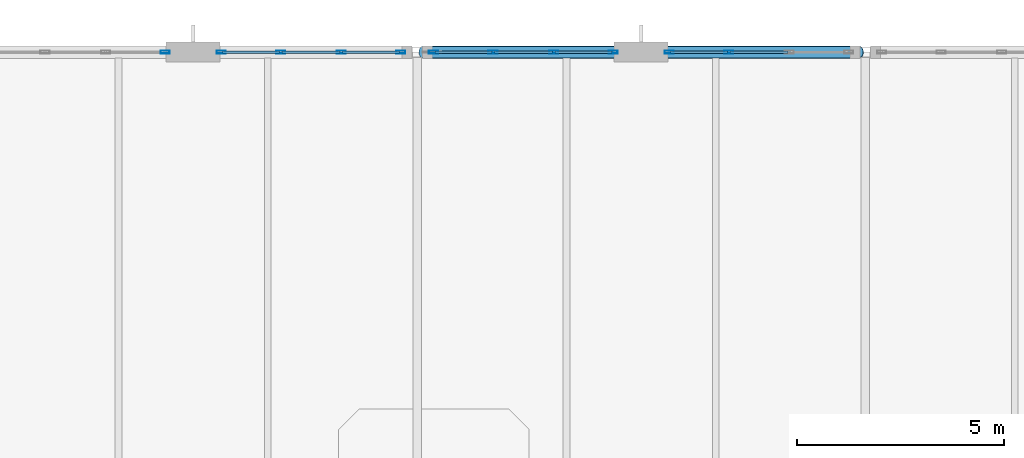
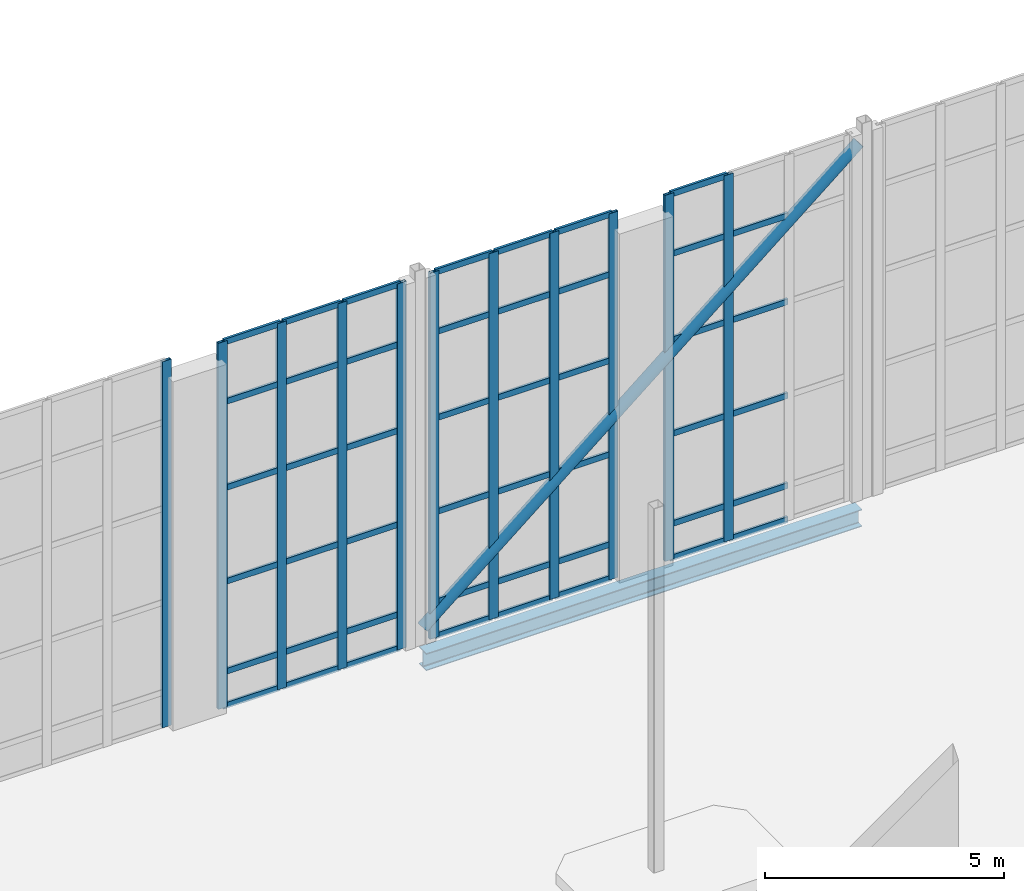
# One storey, part 47 of 100: 59 members, 1 beam, 4 elements without a shape of their own.
"""IFC4 building model written with IfcOpenShell, lengths in metres."""

from ifc_helpers import new_model, si_unit, direction, frame, origin, origin_2d, place, context, subcontext, project, spatial, hollow_rectangle, hollow_circle, i_section, extrude, material, layer, layer_set, material_profile, profile_set, type_object, element, aggregate, save


model = new_model("IFC4")

# Units and contexts
model_context = context("Model", 3, precision=1e-05, world=origin(), true_north=direction((0.0, 1.0)))
body_context = subcontext(model_context, "Body", "Model", "MODEL_VIEW")
ifc_project = project(units=[si_unit("LENGTHUNIT", "METRE"), si_unit("AREAUNIT", "SQUARE_METRE"), si_unit("VOLUMEUNIT", "CUBIC_METRE"), si_unit("PLANEANGLEUNIT", "RADIAN"), si_unit("MASSUNIT", "GRAM", prefix="KILO")], contexts=[model_context])

# Site, building, storey
site_placement = place(None, origin())
site = spatial("IfcSite", under=ifc_project, at=site_placement, CompositionType="ELEMENT")
building_placement = place(site_placement, origin())
building = spatial("IfcBuilding", under=site, at=building_placement, Name="Tasgan Crest Museum", CompositionType="ELEMENT")
storey_placement = place(building_placement, frame((0.0, 0.0, 14.39990234375)))
storey = spatial("IfcBuildingStorey", under=building, at=storey_placement, Name="L03", CompositionType="ELEMENT", Elevation=14.39990234375)

# Beam
ifc_material_1 = material(Name="Steel S355J2", Category="steel")
ifc_material_profile_1 = material_profile(ifc_material_1, i_section(OverallWidth=0.300048828125, OverallDepth=0.43994140625, WebThickness=0.011474609375, FlangeThickness=0.02099609375, FilletRadius=0.027099609375, at=origin_2d()), Name="HEA 450")
ifc_profile_set_1 = profile_set([ifc_material_profile_1], Name="Steel S355J2")
beam_type = type_object("IfcBeamType", Name="BM-G-HEA450", PredefinedType="BEAM", material=ifc_profile_set_1)
beam_placement = place(storey_placement, frame((21.732421875, 112.0, -0.4599609375), z_axis=(1.0, 0.0, 0.0), x_axis=(0.0, 1.0, 0.0)))
element("IfcBeam", 1, at=beam_placement, inside=storey, type_object=beam_type, Name="Girder L03 M 21.6-32.4", PredefinedType="BEAM", context=body_context, shape_type="SweptSolid", body=[
    extrude(i_section(OverallWidth=0.300048828125, OverallDepth=0.43994140625, WebThickness=0.011474609375, FlangeThickness=0.02099609375, FilletRadius=0.027099609375, at=origin_2d()), origin(), (0.0, 0.0, 1.0), 10.53515625),
])

# Curtain wall, members
ifc_material_2 = material(Name="Triple-Glazed Aluminium Curtain Wall", Category="aluminium")
ifc_layer_1 = layer(ifc_material_2, 0.179931640625, Name="CW-GAL-X-96")
ifc_layer_set_1 = layer_set([ifc_layer_1], Name="Triple-Glazed Aluminium Curtain Wall")
curtain_wall_type_1 = type_object("IfcCurtainWallType", Name="CW-GAL-X-96", PredefinedType="NOTDEFINED", material=ifc_layer_set_1)
curtain_wall_1_placement = place(storey_placement, origin())
curtain_wall_1 = element("IfcCurtainWall", 2, at=curtain_wall_1_placement, inside=storey, type_object=curtain_wall_type_1, Name="Curtain wall L03 133", PredefinedType="NOTDEFINED")
ifc_material_3 = material(Name="Anodised Aluminium", Category="aluminium")
ifc_material_profile_2 = material_profile(ifc_material_3, hollow_rectangle(XDim=0.074951171875, YDim=0.219970703125, WallThickness=0.006103515625, at=origin_2d()), Name="ALU MULLION 220x75x6")
ifc_profile_set_2 = profile_set([ifc_material_profile_2], Name="Anodised Aluminium")
member_type_1 = type_object("IfcMemberType", Name="CW-MULLION-220", PredefinedType="MULLION", material=ifc_profile_set_2)
member_1_placement = place(storey_placement, frame((29.1083984375, 112.0, 0.0), z_axis=(0.0, 0.0, 1.0), x_axis=(0.0, -1.0, 0.0)))
member_1 = element("IfcMember", 3, at=member_1_placement, type_object=member_type_1, Name="CW14 mullion 3", PredefinedType="MULLION", context=body_context, shape_type="SweptSolid", body=[
    extrude(hollow_rectangle(XDim=0.074951171875, YDim=0.219970703125, WallThickness=0.006103515625, at=origin_2d()), origin(), (0.0, 0.0, 1.0), 9.360107421875),
])
member_2_placement = place(storey_placement, frame((27.675048828125, 112.0, 0.0), z_axis=(0.0, 0.0, 1.0), x_axis=(0.0, -1.0, 0.0)))
member_2 = element("IfcMember", 4, at=member_2_placement, type_object=member_type_1, Name="CW14 mullion 4", PredefinedType="MULLION", context=body_context, shape_type="SweptSolid", body=[
    extrude(hollow_rectangle(XDim=0.074951171875, YDim=0.219970703125, WallThickness=0.006103515625, at=origin_2d()), origin(), (0.0, 0.0, 1.0), 9.360107421875),
])

curtain_wall_2_placement = place(storey_placement, origin())
curtain_wall_2 = element("IfcCurtainWall", 5, at=curtain_wall_2_placement, inside=storey, type_object=curtain_wall_type_1, Name="Curtain wall L03 134", PredefinedType="NOTDEFINED")
member_3_placement = place(storey_placement, frame((26.324951171875, 112.0, 0.0), z_axis=(0.0, 0.0, 1.0), x_axis=(0.0, -1.0, 0.0)))
member_3 = element("IfcMember", 6, at=member_3_placement, type_object=member_type_1, Name="CW14 mullion 1", PredefinedType="MULLION", context=body_context, shape_type="SweptSolid", body=[
    extrude(hollow_rectangle(XDim=0.074951171875, YDim=0.219970703125, WallThickness=0.006103515625, at=origin_2d()), origin(), (0.0, 0.0, 1.0), 9.360107421875),
])
member_4_placement = place(storey_placement, frame((24.8916015625, 112.0, 0.0), z_axis=(0.0, 0.0, 1.0), x_axis=(0.0, -1.0, 0.0)))
member_4 = element("IfcMember", 7, at=member_4_placement, type_object=member_type_1, Name="CW14 mullion 2", PredefinedType="MULLION", context=body_context, shape_type="SweptSolid", body=[
    extrude(hollow_rectangle(XDim=0.074951171875, YDim=0.219970703125, WallThickness=0.006103515625, at=origin_2d()), origin(), (0.0, 0.0, 1.0), 9.360107421875),
])
member_5_placement = place(storey_placement, frame((23.42822265625, 112.0, 0.0), z_axis=(0.0, 0.0, 1.0), x_axis=(0.0, -1.0, 0.0)))
member_5 = element("IfcMember", 8, at=member_5_placement, type_object=member_type_1, Name="CW14 mullion 3", PredefinedType="MULLION", context=body_context, shape_type="SweptSolid", body=[
    extrude(hollow_rectangle(XDim=0.074951171875, YDim=0.219970703125, WallThickness=0.006103515625, at=origin_2d()), origin(), (0.0, 0.0, 1.0), 9.360107421875),
])
member_6_placement = place(storey_placement, frame((21.9951171875, 112.0, 0.0), z_axis=(0.0, 0.0, 1.0), x_axis=(0.0, -1.0, 0.0)))
member_6 = element("IfcMember", 9, at=member_6_placement, type_object=member_type_1, Name="CW14 mullion 4", PredefinedType="MULLION", context=body_context, shape_type="SweptSolid", body=[
    extrude(hollow_rectangle(XDim=0.074951171875, YDim=0.219970703125, WallThickness=0.006103515625, at=origin_2d()), origin(), (0.0, 0.0, 1.0), 9.360107421875),
])

ifc_material_4 = material(Name="Triple-Glazed Aluminium Curtain Wall", Category="aluminium")
ifc_layer_2 = layer(ifc_material_4, 0.179931640625, Name="CW-CORE-STRIP-96")
ifc_layer_set_2 = layer_set([ifc_layer_2], Name="Triple-Glazed Aluminium Curtain Wall")
curtain_wall_type_2 = type_object("IfcCurtainWallType", Name="CW-CORE-STRIP-96", PredefinedType="NOTDEFINED", material=ifc_layer_set_2)
curtain_wall_3_placement = place(storey_placement, origin())
curtain_wall_3 = element("IfcCurtainWall", 10, at=curtain_wall_3_placement, inside=storey, type_object=curtain_wall_type_2, Name="Curtain wall L03 135", PredefinedType="NOTDEFINED")
member_7_placement = place(storey_placement, frame((21.205078125, 112.0, 0.0), z_axis=(0.0, 0.0, 1.0), x_axis=(0.0, -1.0, 0.0)))
member_7 = element("IfcMember", 11, at=member_7_placement, type_object=member_type_1, Name="CW20 mullion 1", PredefinedType="MULLION", context=body_context, shape_type="SweptSolid", body=[
    extrude(hollow_rectangle(XDim=0.074951171875, YDim=0.219970703125, WallThickness=0.006103515625, at=origin_2d()), origin(), (0.0, 0.0, 1.0), 9.360107421875),
])
member_8_placement = place(storey_placement, frame((19.771728515625, 112.0, 0.0), z_axis=(0.0, 0.0, 1.0), x_axis=(0.0, -1.0, 0.0)))
member_8 = element("IfcMember", 12, at=member_8_placement, type_object=member_type_1, Name="CW20 mullion 2", PredefinedType="MULLION", context=body_context, shape_type="SweptSolid", body=[
    extrude(hollow_rectangle(XDim=0.074951171875, YDim=0.219970703125, WallThickness=0.006103515625, at=origin_2d()), origin(), (0.0, 0.0, 1.0), 9.360107421875),
])
member_9_placement = place(storey_placement, frame((18.308349609375, 112.0, 0.0), z_axis=(0.0, 0.0, 1.0), x_axis=(0.0, -1.0, 0.0)))
member_9 = element("IfcMember", 13, at=member_9_placement, type_object=member_type_1, Name="CW20 mullion 3", PredefinedType="MULLION", context=body_context, shape_type="SweptSolid", body=[
    extrude(hollow_rectangle(XDim=0.074951171875, YDim=0.219970703125, WallThickness=0.006103515625, at=origin_2d()), origin(), (0.0, 0.0, 1.0), 9.360107421875),
])
member_10_placement = place(storey_placement, frame((16.875, 112.0, 0.0), z_axis=(0.0, 0.0, 1.0), x_axis=(0.0, -1.0, 0.0)))
member_10 = element("IfcMember", 14, at=member_10_placement, type_object=member_type_1, Name="CW20 mullion 4", PredefinedType="MULLION", context=body_context, shape_type="SweptSolid", body=[
    extrude(hollow_rectangle(XDim=0.074951171875, YDim=0.219970703125, WallThickness=0.006103515625, at=origin_2d()), origin(), (0.0, 0.0, 1.0), 9.360107421875),
])

# Curtain wall, member
curtain_wall_4_placement = place(storey_placement, origin())
curtain_wall_4 = element("IfcCurtainWall", 15, at=curtain_wall_4_placement, inside=storey, type_object=curtain_wall_type_2, Name="Curtain wall L03 136", PredefinedType="NOTDEFINED")
member_11_placement = place(storey_placement, frame((15.52490234375, 112.0, 0.0), z_axis=(0.0, 0.0, 1.0), x_axis=(0.0, -1.0, 0.0)))
member_11 = element("IfcMember", 16, at=member_11_placement, type_object=member_type_1, Name="CW20 mullion 1", PredefinedType="MULLION", context=body_context, shape_type="SweptSolid", body=[
    extrude(hollow_rectangle(XDim=0.074951171875, YDim=0.219970703125, WallThickness=0.006103515625, at=origin_2d()), origin(), (0.0, 0.0, 1.0), 9.360107421875),
])
aggregate(curtain_wall_4, [member_11])

# Member
ifc_material_5 = material(Name="Anodised Aluminium", Category="aluminium")
ifc_material_profile_3 = material_profile(ifc_material_5, hollow_rectangle(XDim=0.06005859375, YDim=0.14990234375, WallThickness=0.0048828125, at=origin_2d()), Name="ALU TRANSOM 150x60x5")
ifc_profile_set_3 = profile_set([ifc_material_profile_3], Name="Anodised Aluminium")
member_type_2 = type_object("IfcMemberType", Name="CW-TRANSOM-150", PredefinedType="USERDEFINED", material=ifc_profile_set_3)
member_12_placement = place(storey_placement, frame((30.541748046875, 112.0, 0.030029296875), z_axis=(-1.0, 0.0, 0.0), x_axis=(0.0, -1.0, 0.0)))
member_12 = element("IfcMember", 17, at=member_12_placement, type_object=member_type_2, Name="CW14 transom 2.1", ObjectType="TRANSOM", PredefinedType="USERDEFINED", context=body_context, shape_type="SweptSolid", body=[
    extrude(hollow_rectangle(XDim=0.06005859375, YDim=0.14990234375, WallThickness=0.0048828125, at=origin_2d()), origin(), (0.0, 0.0, 1.0), 1.4033203125),
])

member_13_placement = place(storey_placement, frame((30.541748046875, 112.0, 0.900146484375), z_axis=(-1.0, 0.0, 0.0), x_axis=(0.0, -1.0, 0.0)))
member_13 = element("IfcMember", 18, at=member_13_placement, type_object=member_type_2, Name="CW14 transom 2.2", ObjectType="TRANSOM", PredefinedType="USERDEFINED", context=body_context, shape_type="SweptSolid", body=[
    extrude(hollow_rectangle(XDim=0.06005859375, YDim=0.14990234375, WallThickness=0.0048828125, at=origin_2d()), origin(), (0.0, 0.0, 1.0), 1.4033203125),
])

member_14_placement = place(storey_placement, frame((30.541748046875, 112.0, 3.2001953125), z_axis=(-1.0, 0.0, 0.0), x_axis=(0.0, -1.0, 0.0)))
member_14 = element("IfcMember", 19, at=member_14_placement, type_object=member_type_2, Name="CW14 transom 2.3", ObjectType="TRANSOM", PredefinedType="USERDEFINED", context=body_context, shape_type="SweptSolid", body=[
    extrude(hollow_rectangle(XDim=0.06005859375, YDim=0.14990234375, WallThickness=0.0048828125, at=origin_2d()), origin(), (0.0, 0.0, 1.0), 1.4033203125),
])

member_15_placement = place(storey_placement, frame((30.541748046875, 112.0, 5.60009765625), z_axis=(-1.0, 0.0, 0.0), x_axis=(0.0, -1.0, 0.0)))
member_15 = element("IfcMember", 20, at=member_15_placement, type_object=member_type_2, Name="CW14 transom 2.4", ObjectType="TRANSOM", PredefinedType="USERDEFINED", context=body_context, shape_type="SweptSolid", body=[
    extrude(hollow_rectangle(XDim=0.06005859375, YDim=0.14990234375, WallThickness=0.0048828125, at=origin_2d()), origin(), (0.0, 0.0, 1.0), 1.4033203125),
])

member_16_placement = place(storey_placement, frame((30.541748046875, 112.0, 7.800048828125), z_axis=(-1.0, 0.0, 0.0), x_axis=(0.0, -1.0, 0.0)))
member_16 = element("IfcMember", 21, at=member_16_placement, type_object=member_type_2, Name="CW14 transom 2.5", ObjectType="TRANSOM", PredefinedType="USERDEFINED", context=body_context, shape_type="SweptSolid", body=[
    extrude(hollow_rectangle(XDim=0.06005859375, YDim=0.14990234375, WallThickness=0.0048828125, at=origin_2d()), origin(), (0.0, 0.0, 1.0), 1.4033203125),
])

member_17_placement = place(storey_placement, frame((29.078369140625, 112.0, 0.030029296875), z_axis=(-1.0, 0.0, 0.0), x_axis=(0.0, -1.0, 0.0)))
member_17 = element("IfcMember", 22, at=member_17_placement, type_object=member_type_2, Name="CW14 transom 3.1", ObjectType="TRANSOM", PredefinedType="USERDEFINED", context=body_context, shape_type="SweptSolid", body=[
    extrude(hollow_rectangle(XDim=0.06005859375, YDim=0.14990234375, WallThickness=0.0048828125, at=origin_2d()), origin(), (0.0, 0.0, 1.0), 1.373291015625),
])

member_18_placement = place(storey_placement, frame((29.078369140625, 112.0, 0.900146484375), z_axis=(-1.0, 0.0, 0.0), x_axis=(0.0, -1.0, 0.0)))
member_18 = element("IfcMember", 23, at=member_18_placement, type_object=member_type_2, Name="CW14 transom 3.2", ObjectType="TRANSOM", PredefinedType="USERDEFINED", context=body_context, shape_type="SweptSolid", body=[
    extrude(hollow_rectangle(XDim=0.06005859375, YDim=0.14990234375, WallThickness=0.0048828125, at=origin_2d()), origin(), (0.0, 0.0, 1.0), 1.373291015625),
])

member_19_placement = place(storey_placement, frame((29.078369140625, 112.0, 3.2001953125), z_axis=(-1.0, 0.0, 0.0), x_axis=(0.0, -1.0, 0.0)))
member_19 = element("IfcMember", 24, at=member_19_placement, type_object=member_type_2, Name="CW14 transom 3.3", ObjectType="TRANSOM", PredefinedType="USERDEFINED", context=body_context, shape_type="SweptSolid", body=[
    extrude(hollow_rectangle(XDim=0.06005859375, YDim=0.14990234375, WallThickness=0.0048828125, at=origin_2d()), origin(), (0.0, 0.0, 1.0), 1.373291015625),
])

member_20_placement = place(storey_placement, frame((29.078369140625, 112.0, 5.60009765625), z_axis=(-1.0, 0.0, 0.0), x_axis=(0.0, -1.0, 0.0)))
member_20 = element("IfcMember", 25, at=member_20_placement, type_object=member_type_2, Name="CW14 transom 3.4", ObjectType="TRANSOM", PredefinedType="USERDEFINED", context=body_context, shape_type="SweptSolid", body=[
    extrude(hollow_rectangle(XDim=0.06005859375, YDim=0.14990234375, WallThickness=0.0048828125, at=origin_2d()), origin(), (0.0, 0.0, 1.0), 1.373291015625),
])

member_21_placement = place(storey_placement, frame((29.078369140625, 112.0, 7.800048828125), z_axis=(-1.0, 0.0, 0.0), x_axis=(0.0, -1.0, 0.0)))
member_21 = element("IfcMember", 26, at=member_21_placement, type_object=member_type_2, Name="CW14 transom 3.5", ObjectType="TRANSOM", PredefinedType="USERDEFINED", context=body_context, shape_type="SweptSolid", body=[
    extrude(hollow_rectangle(XDim=0.06005859375, YDim=0.14990234375, WallThickness=0.0048828125, at=origin_2d()), origin(), (0.0, 0.0, 1.0), 1.373291015625),
])

member_22_placement = place(storey_placement, frame((29.078369140625, 112.0, 9.330078125), z_axis=(-1.0, 0.0, 0.0), x_axis=(0.0, -1.0, 0.0)))
member_22 = element("IfcMember", 27, at=member_22_placement, type_object=member_type_2, Name="CW14 transom 3.6", ObjectType="TRANSOM", PredefinedType="USERDEFINED", context=body_context, shape_type="SweptSolid", body=[
    extrude(hollow_rectangle(XDim=0.06005859375, YDim=0.14990234375, WallThickness=0.0048828125, at=origin_2d()), origin(), (0.0, 0.0, 1.0), 1.373291015625),
])

aggregate(curtain_wall_1, [member_1, member_2, member_12, member_13, member_14, member_15, member_16, member_17, member_18, member_19, member_20, member_21, member_22])

member_23_placement = place(storey_placement, frame((26.294921875, 112.0, 0.030029296875), z_axis=(-1.0, 0.0, 0.0), x_axis=(0.0, -1.0, 0.0)))
member_23 = element("IfcMember", 28, at=member_23_placement, type_object=member_type_2, Name="CW14 transom 1.1", ObjectType="TRANSOM", PredefinedType="USERDEFINED", context=body_context, shape_type="SweptSolid", body=[
    extrude(hollow_rectangle(XDim=0.06005859375, YDim=0.14990234375, WallThickness=0.0048828125, at=origin_2d()), origin(), (0.0, 0.0, 1.0), 1.373291015625),
])

member_24_placement = place(storey_placement, frame((26.294921875, 112.0, 0.900146484375), z_axis=(-1.0, 0.0, 0.0), x_axis=(0.0, -1.0, 0.0)))
member_24 = element("IfcMember", 29, at=member_24_placement, type_object=member_type_2, Name="CW14 transom 1.2", ObjectType="TRANSOM", PredefinedType="USERDEFINED", context=body_context, shape_type="SweptSolid", body=[
    extrude(hollow_rectangle(XDim=0.06005859375, YDim=0.14990234375, WallThickness=0.0048828125, at=origin_2d()), origin(), (0.0, 0.0, 1.0), 1.373291015625),
])

member_25_placement = place(storey_placement, frame((26.294921875, 112.0, 3.2001953125), z_axis=(-1.0, 0.0, 0.0), x_axis=(0.0, -1.0, 0.0)))
member_25 = element("IfcMember", 30, at=member_25_placement, type_object=member_type_2, Name="CW14 transom 1.3", ObjectType="TRANSOM", PredefinedType="USERDEFINED", context=body_context, shape_type="SweptSolid", body=[
    extrude(hollow_rectangle(XDim=0.06005859375, YDim=0.14990234375, WallThickness=0.0048828125, at=origin_2d()), origin(), (0.0, 0.0, 1.0), 1.373291015625),
])

member_26_placement = place(storey_placement, frame((26.294921875, 112.0, 5.60009765625), z_axis=(-1.0, 0.0, 0.0), x_axis=(0.0, -1.0, 0.0)))
member_26 = element("IfcMember", 31, at=member_26_placement, type_object=member_type_2, Name="CW14 transom 1.4", ObjectType="TRANSOM", PredefinedType="USERDEFINED", context=body_context, shape_type="SweptSolid", body=[
    extrude(hollow_rectangle(XDim=0.06005859375, YDim=0.14990234375, WallThickness=0.0048828125, at=origin_2d()), origin(), (0.0, 0.0, 1.0), 1.373291015625),
])

member_27_placement = place(storey_placement, frame((26.294921875, 112.0, 7.800048828125), z_axis=(-1.0, 0.0, 0.0), x_axis=(0.0, -1.0, 0.0)))
member_27 = element("IfcMember", 32, at=member_27_placement, type_object=member_type_2, Name="CW14 transom 1.5", ObjectType="TRANSOM", PredefinedType="USERDEFINED", context=body_context, shape_type="SweptSolid", body=[
    extrude(hollow_rectangle(XDim=0.06005859375, YDim=0.14990234375, WallThickness=0.0048828125, at=origin_2d()), origin(), (0.0, 0.0, 1.0), 1.373291015625),
])

member_28_placement = place(storey_placement, frame((26.294921875, 112.0, 9.330078125), z_axis=(-1.0, 0.0, 0.0), x_axis=(0.0, -1.0, 0.0)))
member_28 = element("IfcMember", 33, at=member_28_placement, type_object=member_type_2, Name="CW14 transom 1.6", ObjectType="TRANSOM", PredefinedType="USERDEFINED", context=body_context, shape_type="SweptSolid", body=[
    extrude(hollow_rectangle(XDim=0.06005859375, YDim=0.14990234375, WallThickness=0.0048828125, at=origin_2d()), origin(), (0.0, 0.0, 1.0), 1.373291015625),
])

member_29_placement = place(storey_placement, frame((24.861572265625, 112.0, 0.030029296875), z_axis=(-1.0, 0.0, 0.0), x_axis=(0.0, -1.0, 0.0)))
member_29 = element("IfcMember", 34, at=member_29_placement, type_object=member_type_2, Name="CW14 transom 2.1", ObjectType="TRANSOM", PredefinedType="USERDEFINED", context=body_context, shape_type="SweptSolid", body=[
    extrude(hollow_rectangle(XDim=0.06005859375, YDim=0.14990234375, WallThickness=0.0048828125, at=origin_2d()), origin(), (0.0, 0.0, 1.0), 1.4033203125),
])

member_30_placement = place(storey_placement, frame((24.861572265625, 112.0, 0.900146484375), z_axis=(-1.0, 0.0, 0.0), x_axis=(0.0, -1.0, 0.0)))
member_30 = element("IfcMember", 35, at=member_30_placement, type_object=member_type_2, Name="CW14 transom 2.2", ObjectType="TRANSOM", PredefinedType="USERDEFINED", context=body_context, shape_type="SweptSolid", body=[
    extrude(hollow_rectangle(XDim=0.06005859375, YDim=0.14990234375, WallThickness=0.0048828125, at=origin_2d()), origin(), (0.0, 0.0, 1.0), 1.4033203125),
])

member_31_placement = place(storey_placement, frame((24.861572265625, 112.0, 3.2001953125), z_axis=(-1.0, 0.0, 0.0), x_axis=(0.0, -1.0, 0.0)))
member_31 = element("IfcMember", 36, at=member_31_placement, type_object=member_type_2, Name="CW14 transom 2.3", ObjectType="TRANSOM", PredefinedType="USERDEFINED", context=body_context, shape_type="SweptSolid", body=[
    extrude(hollow_rectangle(XDim=0.06005859375, YDim=0.14990234375, WallThickness=0.0048828125, at=origin_2d()), origin(), (0.0, 0.0, 1.0), 1.4033203125),
])

member_32_placement = place(storey_placement, frame((24.861572265625, 112.0, 5.60009765625), z_axis=(-1.0, 0.0, 0.0), x_axis=(0.0, -1.0, 0.0)))
member_32 = element("IfcMember", 37, at=member_32_placement, type_object=member_type_2, Name="CW14 transom 2.4", ObjectType="TRANSOM", PredefinedType="USERDEFINED", context=body_context, shape_type="SweptSolid", body=[
    extrude(hollow_rectangle(XDim=0.06005859375, YDim=0.14990234375, WallThickness=0.0048828125, at=origin_2d()), origin(), (0.0, 0.0, 1.0), 1.4033203125),
])

member_33_placement = place(storey_placement, frame((24.861572265625, 112.0, 7.800048828125), z_axis=(-1.0, 0.0, 0.0), x_axis=(0.0, -1.0, 0.0)))
member_33 = element("IfcMember", 38, at=member_33_placement, type_object=member_type_2, Name="CW14 transom 2.5", ObjectType="TRANSOM", PredefinedType="USERDEFINED", context=body_context, shape_type="SweptSolid", body=[
    extrude(hollow_rectangle(XDim=0.06005859375, YDim=0.14990234375, WallThickness=0.0048828125, at=origin_2d()), origin(), (0.0, 0.0, 1.0), 1.4033203125),
])

member_34_placement = place(storey_placement, frame((24.861572265625, 112.0, 9.330078125), z_axis=(-1.0, 0.0, 0.0), x_axis=(0.0, -1.0, 0.0)))
member_34 = element("IfcMember", 39, at=member_34_placement, type_object=member_type_2, Name="CW14 transom 2.6", ObjectType="TRANSOM", PredefinedType="USERDEFINED", context=body_context, shape_type="SweptSolid", body=[
    extrude(hollow_rectangle(XDim=0.06005859375, YDim=0.14990234375, WallThickness=0.0048828125, at=origin_2d()), origin(), (0.0, 0.0, 1.0), 1.4033203125),
])

member_35_placement = place(storey_placement, frame((23.3984375, 112.0, 0.030029296875), z_axis=(-1.0, 0.0, 0.0), x_axis=(0.0, -1.0, 0.0)))
member_35 = element("IfcMember", 40, at=member_35_placement, type_object=member_type_2, Name="CW14 transom 3.1", ObjectType="TRANSOM", PredefinedType="USERDEFINED", context=body_context, shape_type="SweptSolid", body=[
    extrude(hollow_rectangle(XDim=0.06005859375, YDim=0.14990234375, WallThickness=0.0048828125, at=origin_2d()), origin(), (0.0, 0.0, 1.0), 1.37353515625),
])

member_36_placement = place(storey_placement, frame((23.3984375, 112.0, 0.900146484375), z_axis=(-1.0, 0.0, 0.0), x_axis=(0.0, -1.0, 0.0)))
member_36 = element("IfcMember", 41, at=member_36_placement, type_object=member_type_2, Name="CW14 transom 3.2", ObjectType="TRANSOM", PredefinedType="USERDEFINED", context=body_context, shape_type="SweptSolid", body=[
    extrude(hollow_rectangle(XDim=0.06005859375, YDim=0.14990234375, WallThickness=0.0048828125, at=origin_2d()), origin(), (0.0, 0.0, 1.0), 1.37353515625),
])

member_37_placement = place(storey_placement, frame((23.3984375, 112.0, 3.2001953125), z_axis=(-1.0, 0.0, 0.0), x_axis=(0.0, -1.0, 0.0)))
member_37 = element("IfcMember", 42, at=member_37_placement, type_object=member_type_2, Name="CW14 transom 3.3", ObjectType="TRANSOM", PredefinedType="USERDEFINED", context=body_context, shape_type="SweptSolid", body=[
    extrude(hollow_rectangle(XDim=0.06005859375, YDim=0.14990234375, WallThickness=0.0048828125, at=origin_2d()), origin(), (0.0, 0.0, 1.0), 1.37353515625),
])

member_38_placement = place(storey_placement, frame((23.3984375, 112.0, 5.60009765625), z_axis=(-1.0, 0.0, 0.0), x_axis=(0.0, -1.0, 0.0)))
member_38 = element("IfcMember", 43, at=member_38_placement, type_object=member_type_2, Name="CW14 transom 3.4", ObjectType="TRANSOM", PredefinedType="USERDEFINED", context=body_context, shape_type="SweptSolid", body=[
    extrude(hollow_rectangle(XDim=0.06005859375, YDim=0.14990234375, WallThickness=0.0048828125, at=origin_2d()), origin(), (0.0, 0.0, 1.0), 1.37353515625),
])

member_39_placement = place(storey_placement, frame((23.3984375, 112.0, 7.800048828125), z_axis=(-1.0, 0.0, 0.0), x_axis=(0.0, -1.0, 0.0)))
member_39 = element("IfcMember", 44, at=member_39_placement, type_object=member_type_2, Name="CW14 transom 3.5", ObjectType="TRANSOM", PredefinedType="USERDEFINED", context=body_context, shape_type="SweptSolid", body=[
    extrude(hollow_rectangle(XDim=0.06005859375, YDim=0.14990234375, WallThickness=0.0048828125, at=origin_2d()), origin(), (0.0, 0.0, 1.0), 1.37353515625),
])

member_40_placement = place(storey_placement, frame((23.3984375, 112.0, 9.330078125), z_axis=(-1.0, 0.0, 0.0), x_axis=(0.0, -1.0, 0.0)))
member_40 = element("IfcMember", 45, at=member_40_placement, type_object=member_type_2, Name="CW14 transom 3.6", ObjectType="TRANSOM", PredefinedType="USERDEFINED", context=body_context, shape_type="SweptSolid", body=[
    extrude(hollow_rectangle(XDim=0.06005859375, YDim=0.14990234375, WallThickness=0.0048828125, at=origin_2d()), origin(), (0.0, 0.0, 1.0), 1.37353515625),
])

aggregate(curtain_wall_2, [member_3, member_4, member_5, member_6, member_23, member_24, member_25, member_26, member_27, member_28, member_29, member_30, member_31, member_32, member_33, member_34, member_35, member_36, member_37, member_38, member_39, member_40])

member_41_placement = place(storey_placement, frame((21.175048828125, 112.0, 0.030029296875), z_axis=(-1.0, 0.0, 0.0), x_axis=(0.0, -1.0, 0.0)))
member_41 = element("IfcMember", 46, at=member_41_placement, type_object=member_type_2, Name="CW20 transom 1.1", ObjectType="TRANSOM", PredefinedType="USERDEFINED", context=body_context, shape_type="SweptSolid", body=[
    extrude(hollow_rectangle(XDim=0.06005859375, YDim=0.14990234375, WallThickness=0.0048828125, at=origin_2d()), origin(), (0.0, 0.0, 1.0), 1.373291015625),
])

member_42_placement = place(storey_placement, frame((21.175048828125, 112.0, 0.900146484375), z_axis=(-1.0, 0.0, 0.0), x_axis=(0.0, -1.0, 0.0)))
member_42 = element("IfcMember", 47, at=member_42_placement, type_object=member_type_2, Name="CW20 transom 1.2", ObjectType="TRANSOM", PredefinedType="USERDEFINED", context=body_context, shape_type="SweptSolid", body=[
    extrude(hollow_rectangle(XDim=0.06005859375, YDim=0.14990234375, WallThickness=0.0048828125, at=origin_2d()), origin(), (0.0, 0.0, 1.0), 1.373291015625),
])

member_43_placement = place(storey_placement, frame((21.175048828125, 112.0, 3.2001953125), z_axis=(-1.0, 0.0, 0.0), x_axis=(0.0, -1.0, 0.0)))
member_43 = element("IfcMember", 48, at=member_43_placement, type_object=member_type_2, Name="CW20 transom 1.3", ObjectType="TRANSOM", PredefinedType="USERDEFINED", context=body_context, shape_type="SweptSolid", body=[
    extrude(hollow_rectangle(XDim=0.06005859375, YDim=0.14990234375, WallThickness=0.0048828125, at=origin_2d()), origin(), (0.0, 0.0, 1.0), 1.373291015625),
])

member_44_placement = place(storey_placement, frame((21.175048828125, 112.0, 5.60009765625), z_axis=(-1.0, 0.0, 0.0), x_axis=(0.0, -1.0, 0.0)))
member_44 = element("IfcMember", 49, at=member_44_placement, type_object=member_type_2, Name="CW20 transom 1.4", ObjectType="TRANSOM", PredefinedType="USERDEFINED", context=body_context, shape_type="SweptSolid", body=[
    extrude(hollow_rectangle(XDim=0.06005859375, YDim=0.14990234375, WallThickness=0.0048828125, at=origin_2d()), origin(), (0.0, 0.0, 1.0), 1.373291015625),
])

member_45_placement = place(storey_placement, frame((21.175048828125, 112.0, 7.800048828125), z_axis=(-1.0, 0.0, 0.0), x_axis=(0.0, -1.0, 0.0)))
member_45 = element("IfcMember", 50, at=member_45_placement, type_object=member_type_2, Name="CW20 transom 1.5", ObjectType="TRANSOM", PredefinedType="USERDEFINED", context=body_context, shape_type="SweptSolid", body=[
    extrude(hollow_rectangle(XDim=0.06005859375, YDim=0.14990234375, WallThickness=0.0048828125, at=origin_2d()), origin(), (0.0, 0.0, 1.0), 1.373291015625),
])

member_46_placement = place(storey_placement, frame((21.175048828125, 112.0, 9.330078125), z_axis=(-1.0, 0.0, 0.0), x_axis=(0.0, -1.0, 0.0)))
member_46 = element("IfcMember", 51, at=member_46_placement, type_object=member_type_2, Name="CW20 transom 1.6", ObjectType="TRANSOM", PredefinedType="USERDEFINED", context=body_context, shape_type="SweptSolid", body=[
    extrude(hollow_rectangle(XDim=0.06005859375, YDim=0.14990234375, WallThickness=0.0048828125, at=origin_2d()), origin(), (0.0, 0.0, 1.0), 1.373291015625),
])

member_47_placement = place(storey_placement, frame((19.74169921875, 112.0, 0.030029296875), z_axis=(-1.0, 0.0, 0.0), x_axis=(0.0, -1.0, 0.0)))
member_47 = element("IfcMember", 52, at=member_47_placement, type_object=member_type_2, Name="CW20 transom 2.1", ObjectType="TRANSOM", PredefinedType="USERDEFINED", context=body_context, shape_type="SweptSolid", body=[
    extrude(hollow_rectangle(XDim=0.06005859375, YDim=0.14990234375, WallThickness=0.0048828125, at=origin_2d()), origin(), (0.0, 0.0, 1.0), 1.4033203125),
])

member_48_placement = place(storey_placement, frame((19.74169921875, 112.0, 0.900146484375), z_axis=(-1.0, 0.0, 0.0), x_axis=(0.0, -1.0, 0.0)))
member_48 = element("IfcMember", 53, at=member_48_placement, type_object=member_type_2, Name="CW20 transom 2.2", ObjectType="TRANSOM", PredefinedType="USERDEFINED", context=body_context, shape_type="SweptSolid", body=[
    extrude(hollow_rectangle(XDim=0.06005859375, YDim=0.14990234375, WallThickness=0.0048828125, at=origin_2d()), origin(), (0.0, 0.0, 1.0), 1.4033203125),
])

member_49_placement = place(storey_placement, frame((19.74169921875, 112.0, 3.2001953125), z_axis=(-1.0, 0.0, 0.0), x_axis=(0.0, -1.0, 0.0)))
member_49 = element("IfcMember", 54, at=member_49_placement, type_object=member_type_2, Name="CW20 transom 2.3", ObjectType="TRANSOM", PredefinedType="USERDEFINED", context=body_context, shape_type="SweptSolid", body=[
    extrude(hollow_rectangle(XDim=0.06005859375, YDim=0.14990234375, WallThickness=0.0048828125, at=origin_2d()), origin(), (0.0, 0.0, 1.0), 1.4033203125),
])

member_50_placement = place(storey_placement, frame((19.74169921875, 112.0, 5.60009765625), z_axis=(-1.0, 0.0, 0.0), x_axis=(0.0, -1.0, 0.0)))
member_50 = element("IfcMember", 55, at=member_50_placement, type_object=member_type_2, Name="CW20 transom 2.4", ObjectType="TRANSOM", PredefinedType="USERDEFINED", context=body_context, shape_type="SweptSolid", body=[
    extrude(hollow_rectangle(XDim=0.06005859375, YDim=0.14990234375, WallThickness=0.0048828125, at=origin_2d()), origin(), (0.0, 0.0, 1.0), 1.4033203125),
])

member_51_placement = place(storey_placement, frame((19.74169921875, 112.0, 7.800048828125), z_axis=(-1.0, 0.0, 0.0), x_axis=(0.0, -1.0, 0.0)))
member_51 = element("IfcMember", 56, at=member_51_placement, type_object=member_type_2, Name="CW20 transom 2.5", ObjectType="TRANSOM", PredefinedType="USERDEFINED", context=body_context, shape_type="SweptSolid", body=[
    extrude(hollow_rectangle(XDim=0.06005859375, YDim=0.14990234375, WallThickness=0.0048828125, at=origin_2d()), origin(), (0.0, 0.0, 1.0), 1.4033203125),
])

member_52_placement = place(storey_placement, frame((19.74169921875, 112.0, 9.330078125), z_axis=(-1.0, 0.0, 0.0), x_axis=(0.0, -1.0, 0.0)))
member_52 = element("IfcMember", 57, at=member_52_placement, type_object=member_type_2, Name="CW20 transom 2.6", ObjectType="TRANSOM", PredefinedType="USERDEFINED", context=body_context, shape_type="SweptSolid", body=[
    extrude(hollow_rectangle(XDim=0.06005859375, YDim=0.14990234375, WallThickness=0.0048828125, at=origin_2d()), origin(), (0.0, 0.0, 1.0), 1.4033203125),
])

member_53_placement = place(storey_placement, frame((18.2783203125, 112.0, 0.030029296875), z_axis=(-1.0, 0.0, 0.0), x_axis=(0.0, -1.0, 0.0)))
member_53 = element("IfcMember", 58, at=member_53_placement, type_object=member_type_2, Name="CW20 transom 3.1", ObjectType="TRANSOM", PredefinedType="USERDEFINED", context=body_context, shape_type="SweptSolid", body=[
    extrude(hollow_rectangle(XDim=0.06005859375, YDim=0.14990234375, WallThickness=0.0048828125, at=origin_2d()), origin(), (0.0, 0.0, 1.0), 1.373291015625),
])

member_54_placement = place(storey_placement, frame((18.2783203125, 112.0, 0.900146484375), z_axis=(-1.0, 0.0, 0.0), x_axis=(0.0, -1.0, 0.0)))
member_54 = element("IfcMember", 59, at=member_54_placement, type_object=member_type_2, Name="CW20 transom 3.2", ObjectType="TRANSOM", PredefinedType="USERDEFINED", context=body_context, shape_type="SweptSolid", body=[
    extrude(hollow_rectangle(XDim=0.06005859375, YDim=0.14990234375, WallThickness=0.0048828125, at=origin_2d()), origin(), (0.0, 0.0, 1.0), 1.373291015625),
])

member_55_placement = place(storey_placement, frame((18.2783203125, 112.0, 3.2001953125), z_axis=(-1.0, 0.0, 0.0), x_axis=(0.0, -1.0, 0.0)))
member_55 = element("IfcMember", 60, at=member_55_placement, type_object=member_type_2, Name="CW20 transom 3.3", ObjectType="TRANSOM", PredefinedType="USERDEFINED", context=body_context, shape_type="SweptSolid", body=[
    extrude(hollow_rectangle(XDim=0.06005859375, YDim=0.14990234375, WallThickness=0.0048828125, at=origin_2d()), origin(), (0.0, 0.0, 1.0), 1.373291015625),
])

member_56_placement = place(storey_placement, frame((18.2783203125, 112.0, 5.60009765625), z_axis=(-1.0, 0.0, 0.0), x_axis=(0.0, -1.0, 0.0)))
member_56 = element("IfcMember", 61, at=member_56_placement, type_object=member_type_2, Name="CW20 transom 3.4", ObjectType="TRANSOM", PredefinedType="USERDEFINED", context=body_context, shape_type="SweptSolid", body=[
    extrude(hollow_rectangle(XDim=0.06005859375, YDim=0.14990234375, WallThickness=0.0048828125, at=origin_2d()), origin(), (0.0, 0.0, 1.0), 1.373291015625),
])

member_57_placement = place(storey_placement, frame((18.2783203125, 112.0, 7.800048828125), z_axis=(-1.0, 0.0, 0.0), x_axis=(0.0, -1.0, 0.0)))
member_57 = element("IfcMember", 62, at=member_57_placement, type_object=member_type_2, Name="CW20 transom 3.5", ObjectType="TRANSOM", PredefinedType="USERDEFINED", context=body_context, shape_type="SweptSolid", body=[
    extrude(hollow_rectangle(XDim=0.06005859375, YDim=0.14990234375, WallThickness=0.0048828125, at=origin_2d()), origin(), (0.0, 0.0, 1.0), 1.373291015625),
])

member_58_placement = place(storey_placement, frame((18.2783203125, 112.0, 9.330078125), z_axis=(-1.0, 0.0, 0.0), x_axis=(0.0, -1.0, 0.0)))
member_58 = element("IfcMember", 63, at=member_58_placement, type_object=member_type_2, Name="CW20 transom 3.6", ObjectType="TRANSOM", PredefinedType="USERDEFINED", context=body_context, shape_type="SweptSolid", body=[
    extrude(hollow_rectangle(XDim=0.06005859375, YDim=0.14990234375, WallThickness=0.0048828125, at=origin_2d()), origin(), (0.0, 0.0, 1.0), 1.373291015625),
])

aggregate(curtain_wall_3, [member_7, member_8, member_9, member_10, member_41, member_42, member_43, member_44, member_45, member_46, member_47, member_48, member_49, member_50, member_51, member_52, member_53, member_54, member_55, member_56, member_57, member_58])

ifc_material_6 = material(Name="Steel S355K2", Category="steel")
ifc_material_profile_4 = material_profile(ifc_material_6, hollow_circle(Radius=0.136474609375, WallThickness=0.012451171875, at=origin_2d()), Name="CHS 273x12.5")
ifc_profile_set_4 = profile_set([ifc_material_profile_4], Name="Steel S355K2")
member_type_3 = type_object("IfcMemberType", Name="MEM-BRACE-CHS273", PredefinedType="BRACE", material=ifc_profile_set_4)
member_59_placement = place(storey_placement, frame((21.72998046875, 112.0, 0.35009765625), z_axis=(0.77121453342, 0.0, 0.636575324248), x_axis=(0.0, 1.0, 0.0)))
element("IfcMember", 64, at=member_59_placement, inside=storey, type_object=member_type_3, Name="Diagonal brace L03 M 21.6-32.4", PredefinedType="BRACE", context=body_context, shape_type="SweptSolid", body=[
    extrude(hollow_circle(Radius=0.136474609375, WallThickness=0.012451171875, at=origin_2d()), origin(), (0.0, 0.0, 1.0), 13.666748046875),
])

save(model, "model.ifc")
